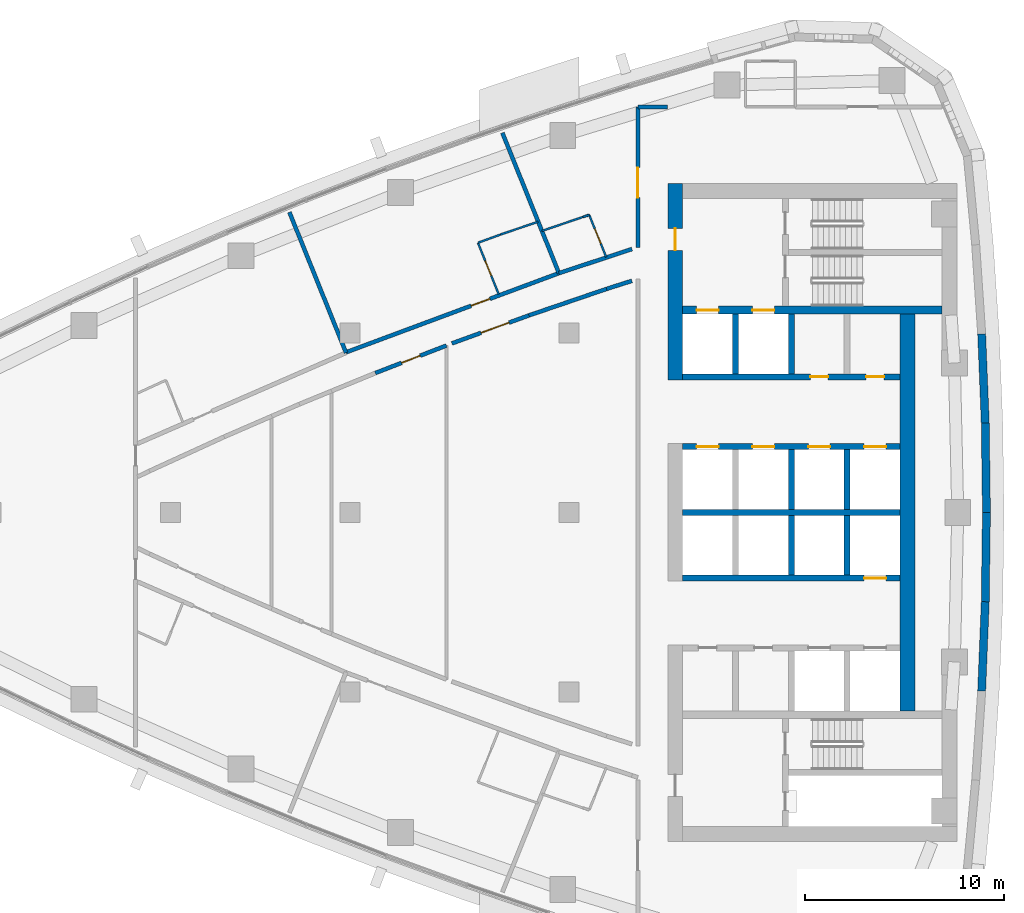
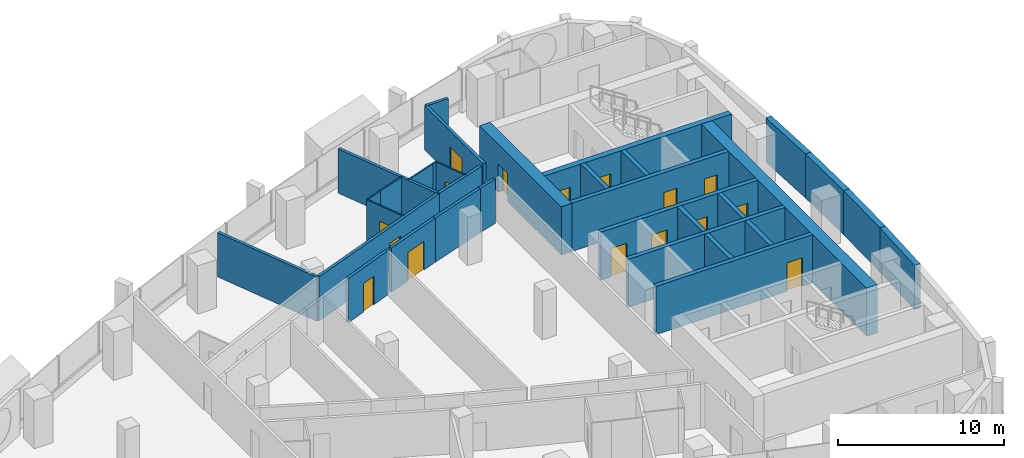
# One storey, part 11 of 16: 33 walls, 16 doors, 16 openings.
"""IFC4 building model written with IfcOpenShell, lengths in metres."""

from ifc_helpers import new_model, si_unit, direction, frame, frame_2d, origin, place, context, subcontext, project, spatial, polyline, rectangle, outline, extrude, material, layer, layer_set, type_object, element, fill, save


model = new_model("IFC4")

# Units and contexts
model_context = context("Model", 3, precision=1e-05, world=origin(), true_north=direction((0.0, 1.0)))
body_context = subcontext(model_context, "Body", "Model", "MODEL_VIEW")
ifc_project = project(units=[si_unit("LENGTHUNIT", "METRE"), si_unit("AREAUNIT", "SQUARE_METRE"), si_unit("VOLUMEUNIT", "CUBIC_METRE"), si_unit("PLANEANGLEUNIT", "RADIAN"), si_unit("MASSUNIT", "GRAM", prefix="KILO")], contexts=[model_context])

# Site, building, storey
site_placement = place(None, origin())
site = spatial("IfcSite", under=ifc_project, at=site_placement, CompositionType="ELEMENT")
building_placement = place(site_placement, origin())
building = spatial("IfcBuilding", under=site, at=building_placement, Name="Ostrand Prow Hotel Tower", CompositionType="ELEMENT")
storey_placement = place(building_placement, frame((0.0, 0.0, 186.14990234375)))
storey = spatial("IfcBuildingStorey", under=building, at=storey_placement, Name="L46", CompositionType="ELEMENT", Elevation=186.14990234375)

# Wall
ifc_material_1 = material(Name="Concrete C60/75", Category="concrete")
ifc_layer_1 = layer(ifc_material_1, 0.300048828125)
ifc_layer_set_1 = layer_set([ifc_layer_1], Name="Concrete C60/75")
wall_type_1 = type_object("IfcWallType", Name="Core wall 300 C60/75", PredefinedType="SHEAR", material=ifc_layer_set_1)
wall_1_placement = place(storey_placement, frame((50.699951171875, 0.0, 0.0), z_axis=(0.0, 0.0, 1.0), x_axis=(1.0, 0.0, 0.0)))
element("IfcWall", 1, at=wall_1_placement, inside=storey, type_object=wall_type_1, Name="Core wall PW-C", PredefinedType="SHEAR", context=body_context, shape_type="SweptSolid", body=[
    extrude(rectangle(XDim=10.900146484375, YDim=0.300048828125, at=frame_2d((5.4501953125, 0.0))), origin(), (0.0, 0.0, 1.0), 3.550048828125),
])

# Wall, openings, doors
wall_2_placement = place(storey_placement, frame((50.699951171875, 3.300048828125, 0.0), z_axis=(0.0, 0.0, 1.0), x_axis=(1.0, 0.0, 0.0)))
wall_2 = element("IfcWall", 2, at=wall_2_placement, inside=storey, type_object=wall_type_1, Name="Core wall PW-L1-N", PredefinedType="SHEAR", context=body_context, shape_type="SweptSolid", body=[
    extrude(rectangle(XDim=10.900146484375, YDim=0.300048828125, at=frame_2d((5.4501953125, 0.0))), origin(), (0.0, 0.0, 1.0), 3.550048828125),
])
opening_1_placement = place(wall_2_placement, frame((0.699951171875, 0.0, 0.0)))
opening_1 = element("IfcOpeningElement", 3, at=opening_1_placement, cuts=wall_2, Name="Opening LD", PredefinedType="OPENING", context=body_context, shape_type="SweptSolid", body=[
    extrude(rectangle(XDim=1.10009765625, YDim=2.10009765625, at=frame_2d((0.550048828125, 1.050048828125))), frame((0.0, 0.159912109375, 0.0), z_axis=(0.0, -1.0, 0.0), x_axis=(1.0, 0.0, 0.0)), (0.0, 0.0, 1.0), 0.320068359375),
])
opening_2_placement = place(wall_2_placement, frame((3.5, 0.0, 0.0)))
opening_2 = element("IfcOpeningElement", 4, at=opening_2_placement, cuts=wall_2, Name="Opening LD", PredefinedType="OPENING", context=body_context, shape_type="SweptSolid", body=[
    extrude(rectangle(XDim=1.10009765625, YDim=2.10009765625, at=frame_2d((0.550048828125, 1.050048828125))), frame((0.0, 0.159912109375, 0.0), z_axis=(0.0, -1.0, 0.0), x_axis=(1.0, 0.0, 0.0)), (0.0, 0.0, 1.0), 0.320068359375),
])
opening_3_placement = place(wall_2_placement, frame((6.300048828125, 0.0, 0.0)))
opening_3 = element("IfcOpeningElement", 5, at=opening_3_placement, cuts=wall_2, Name="Opening LD", PredefinedType="OPENING", context=body_context, shape_type="SweptSolid", body=[
    extrude(rectangle(XDim=1.10009765625, YDim=2.10009765625, at=frame_2d((0.550048828125, 1.050048828125))), frame((0.0, 0.159912109375, 0.0), z_axis=(0.0, -1.0, 0.0), x_axis=(1.0, 0.0, 0.0)), (0.0, 0.0, 1.0), 0.320068359375),
])
opening_4_placement = place(wall_2_placement, frame((9.10009765625, 0.0, 0.0)))
opening_4 = element("IfcOpeningElement", 6, at=opening_4_placement, cuts=wall_2, Name="Opening LD", PredefinedType="OPENING", context=body_context, shape_type="SweptSolid", body=[
    extrude(rectangle(XDim=1.10009765625, YDim=2.10009765625, at=frame_2d((0.550048828125, 1.050048828125))), frame((0.0, 0.159912109375, 0.0), z_axis=(0.0, -1.0, 0.0), x_axis=(1.0, 0.0, 0.0)), (0.0, 0.0, 1.0), 0.320068359375),
])
ifc_material_2 = material(Name="Stainless steel door", Category="steel")
door_type_1 = type_object("IfcDoorType", Name="Lift landing door 1100", OperationType="DOUBLE_DOOR_SLIDING", PredefinedType="DOOR", material=ifc_material_2)
door_1_placement = place(opening_1_placement, origin())
door_1 = element("IfcDoor", 7, at=door_1_placement, inside=storey, type_object=door_type_1, Name="LIFT LANDING DOOR", OperationType="DOUBLE_DOOR_SLIDING", OverallHeight=2.10009765625, OverallWidth=1.10009765625, PredefinedType="DOOR", context=body_context, shape_type="SweptSolid", body=[
    extrude(rectangle(XDim=1.10009765625, YDim=2.10009765625, at=frame_2d((0.550048828125, 1.050048828125))), frame((0.0, 0.02490234375, 0.0), z_axis=(0.0, -1.0, 0.0), x_axis=(1.0, 0.0, 0.0)), (0.0, 0.0, 1.0), 0.050048828125),
])
fill(opening_1, door_1)
door_2_placement = place(opening_2_placement, origin())
door_2 = element("IfcDoor", 8, at=door_2_placement, inside=storey, type_object=door_type_1, Name="LIFT LANDING DOOR", OperationType="DOUBLE_DOOR_SLIDING", OverallHeight=2.10009765625, OverallWidth=1.10009765625, PredefinedType="DOOR", context=body_context, shape_type="SweptSolid", body=[
    extrude(rectangle(XDim=1.10009765625, YDim=2.10009765625, at=frame_2d((0.550048828125, 1.050048828125))), frame((0.0, 0.02490234375, 0.0), z_axis=(0.0, -1.0, 0.0), x_axis=(1.0, 0.0, 0.0)), (0.0, 0.0, 1.0), 0.050048828125),
])
fill(opening_2, door_2)
door_3_placement = place(opening_3_placement, origin())
door_3 = element("IfcDoor", 9, at=door_3_placement, inside=storey, type_object=door_type_1, Name="LIFT LANDING DOOR", OperationType="DOUBLE_DOOR_SLIDING", OverallHeight=2.10009765625, OverallWidth=1.10009765625, PredefinedType="DOOR", context=body_context, shape_type="SweptSolid", body=[
    extrude(rectangle(XDim=1.10009765625, YDim=2.10009765625, at=frame_2d((0.550048828125, 1.050048828125))), frame((0.0, 0.02490234375, 0.0), z_axis=(0.0, -1.0, 0.0), x_axis=(1.0, 0.0, 0.0)), (0.0, 0.0, 1.0), 0.050048828125),
])
fill(opening_3, door_3)
door_4_placement = place(opening_4_placement, origin())
door_4 = element("IfcDoor", 10, at=door_4_placement, inside=storey, type_object=door_type_1, Name="LIFT LANDING DOOR", OperationType="DOUBLE_DOOR_SLIDING", OverallHeight=2.10009765625, OverallWidth=1.10009765625, PredefinedType="DOOR", context=body_context, shape_type="SweptSolid", body=[
    extrude(rectangle(XDim=1.10009765625, YDim=2.10009765625, at=frame_2d((0.550048828125, 1.050048828125))), frame((0.0, 0.02490234375, 0.0), z_axis=(0.0, -1.0, 0.0), x_axis=(1.0, 0.0, 0.0)), (0.0, 0.0, 1.0), 0.050048828125),
])
fill(opening_4, door_4)

wall_3_placement = place(storey_placement, frame((50.699951171875, 6.800048828125, 0.0), z_axis=(0.0, 0.0, 1.0), x_axis=(1.0, 0.0, 0.0)))
wall_3 = element("IfcWall", 11, at=wall_3_placement, inside=storey, type_object=wall_type_1, Name="Core wall PW-L2-N", PredefinedType="SHEAR", context=body_context, shape_type="SweptSolid", body=[
    extrude(rectangle(XDim=10.900146484375, YDim=0.300048828125, at=frame_2d((5.4501953125, 0.0))), origin(), (0.0, 0.0, 1.0), 3.550048828125),
])
opening_5_placement = place(wall_3_placement, frame((6.39990234375, 0.0, 0.0)))
opening_5 = element("IfcOpeningElement", 12, at=opening_5_placement, cuts=wall_3, Name="Opening FD2", PredefinedType="OPENING", context=body_context, shape_type="SweptSolid", body=[
    extrude(rectangle(XDim=0.89990234375, YDim=2.10009765625, at=frame_2d((0.449951171875, 1.050048828125))), frame((0.0, 0.159912109375, 0.0), z_axis=(0.0, -1.0, 0.0), x_axis=(1.0, 0.0, 0.0)), (0.0, 0.0, 1.0), 0.320068359375),
])
opening_6_placement = place(wall_3_placement, frame((9.199951171875, 0.0, 0.0)))
opening_6 = element("IfcOpeningElement", 13, at=opening_6_placement, cuts=wall_3, Name="Opening FD2", PredefinedType="OPENING", context=body_context, shape_type="SweptSolid", body=[
    extrude(rectangle(XDim=0.89990234375, YDim=2.10009765625, at=frame_2d((0.449951171875, 1.050048828125))), frame((0.0, 0.159912109375, 0.0), z_axis=(0.0, -1.0, 0.0), x_axis=(1.0, 0.0, 0.0)), (0.0, 0.0, 1.0), 0.320068359375),
])
ifc_material_3 = material(Name="Steel fire door", Category="steel")
door_type_2 = type_object("IfcDoorType", Name="Fire door 900 EI120", OperationType="SINGLE_SWING_LEFT", PredefinedType="DOOR", material=ifc_material_3)
door_5_placement = place(opening_5_placement, origin())
door_5 = element("IfcDoor", 14, at=door_5_placement, inside=storey, type_object=door_type_2, Name="DOOR", OperationType="SINGLE_SWING_LEFT", OverallHeight=2.10009765625, OverallWidth=0.89990234375, PredefinedType="DOOR", context=body_context, shape_type="SweptSolid", body=[
    extrude(rectangle(XDim=0.89990234375, YDim=2.10009765625, at=frame_2d((0.449951171875, 1.050048828125))), frame((0.0, 0.02490234375, 0.0), z_axis=(0.0, -1.0, 0.0), x_axis=(1.0, 0.0, 0.0)), (0.0, 0.0, 1.0), 0.050048828125),
])
fill(opening_5, door_5)
door_6_placement = place(opening_6_placement, origin())
door_6 = element("IfcDoor", 15, at=door_6_placement, inside=storey, type_object=door_type_2, Name="DOOR", OperationType="SINGLE_SWING_LEFT", OverallHeight=2.10009765625, OverallWidth=0.89990234375, PredefinedType="DOOR", context=body_context, shape_type="SweptSolid", body=[
    extrude(rectangle(XDim=0.89990234375, YDim=2.10009765625, at=frame_2d((0.449951171875, 1.050048828125))), frame((0.0, 0.02490234375, 0.0), z_axis=(0.0, -1.0, 0.0), x_axis=(1.0, 0.0, 0.0)), (0.0, 0.0, 1.0), 0.050048828125),
])
fill(opening_6, door_6)

# Walls
for number, where, z_axis, x_axis, name in (
    (16, (53.35009765625, 6.949951171875, 0.0), (0.0, 0.0, 1.0), (0.0, 1.0, 0.0), "Core wall PW-R1-NA"),
    (17, (56.14990234375, 0.14990234375, 0.0), (0.0, 0.0, 1.0), (0.0, 1.0, 0.0), "Core wall PW-R2-NB"),
    (18, (56.14990234375, 6.949951171875, 0.0), (0.0, 0.0, 1.0), (0.0, 1.0, 0.0), "Core wall PW-R2-NA"),
    (19, (58.949951171875, 0.14990234375, 0.0), (0.0, 0.0, 1.0), (0.0, 1.0, 0.0), "Core wall PW-R3-NB"),
):
    element("IfcWall", number, at=place(storey_placement, frame(where, z_axis=z_axis, x_axis=x_axis)), inside=storey, type_object=wall_type_1, Name=name, PredefinedType="SHEAR", context=body_context, shape_type="SweptSolid", body=[
        extrude(rectangle(XDim=3.0, YDim=0.300048828125, at=frame_2d((1.5, 0.0))), origin(), (0.0, 0.0, 1.0), 3.550048828125),
    ])

# Wall, opening, door
wall_4_placement = place(storey_placement, frame((50.699951171875, -3.300048828125, 0.0), z_axis=(0.0, 0.0, 1.0), x_axis=(1.0, 0.0, 0.0)))
wall_4 = element("IfcWall", 20, at=wall_4_placement, inside=storey, type_object=wall_type_1, Name="Core wall PW-L1-S", PredefinedType="SHEAR", context=body_context, shape_type="SweptSolid", body=[
    extrude(rectangle(XDim=10.900146484375, YDim=0.300048828125, at=frame_2d((5.4501953125, 0.0))), origin(), (0.0, 0.0, 1.0), 3.550048828125),
])
opening_7_placement = place(wall_4_placement, frame((9.10009765625, 0.0, 0.0)))
opening_7 = element("IfcOpeningElement", 21, at=opening_7_placement, cuts=wall_4, Name="Opening LD", PredefinedType="OPENING", context=body_context, shape_type="SweptSolid", body=[
    extrude(rectangle(XDim=1.10009765625, YDim=2.10009765625, at=frame_2d((0.550048828125, 1.050048828125))), frame((0.0, 0.159912109375, 0.0), z_axis=(0.0, -1.0, 0.0), x_axis=(1.0, 0.0, 0.0)), (0.0, 0.0, 1.0), 0.320068359375),
])
door_7_placement = place(opening_7_placement, origin())
door_7 = element("IfcDoor", 22, at=door_7_placement, inside=storey, type_object=door_type_1, Name="LIFT LANDING DOOR", OperationType="DOUBLE_DOOR_SLIDING", OverallHeight=2.10009765625, OverallWidth=1.10009765625, PredefinedType="DOOR", context=body_context, shape_type="SweptSolid", body=[
    extrude(rectangle(XDim=1.10009765625, YDim=2.10009765625, at=frame_2d((0.550048828125, 1.050048828125))), frame((0.0, 0.02490234375, 0.0), z_axis=(0.0, -1.0, 0.0), x_axis=(1.0, 0.0, 0.0)), (0.0, 0.0, 1.0), 0.050048828125),
])
fill(opening_7, door_7)

# Walls
for number, where, z_axis, x_axis, name in (
    (23, (56.14990234375, -3.14990234375, 0.0), (0.0, 0.0, 1.0), (0.0, 1.0, 0.0), "Core wall PW-R2-SB"),
    (24, (58.949951171875, -3.14990234375, 0.0), (0.0, 0.0, 1.0), (0.0, 1.0, 0.0), "Core wall PW-R3-SB"),
):
    element("IfcWall", number, at=place(storey_placement, frame(where, z_axis=z_axis, x_axis=x_axis)), inside=storey, type_object=wall_type_1, Name=name, PredefinedType="SHEAR", context=body_context, shape_type="SweptSolid", body=[
        extrude(rectangle(XDim=3.0, YDim=0.300048828125, at=frame_2d((1.5, 0.0))), origin(), (0.0, 0.0, 1.0), 3.550048828125),
    ])

# Wall, openings, doors
ifc_material_4 = material(Name="Concrete C60/75", Category="concrete")
ifc_layer_2 = layer(ifc_material_4, 0.39990234375)
ifc_layer_set_2 = layer_set([ifc_layer_2], Name="Concrete C60/75")
wall_type_2 = type_object("IfcWallType", Name="Core wall 400 C60/75", PredefinedType="SHEAR", material=ifc_layer_set_2)
wall_5_placement = place(storey_placement, frame((50.699951171875, 10.14990234375, 0.0), z_axis=(0.0, 0.0, 1.0), x_axis=(1.0, 0.0, 0.0)))
wall_5 = element("IfcWall", 25, at=wall_5_placement, inside=storey, type_object=wall_type_2, Name="Core wall PW-BN", PredefinedType="SHEAR", context=body_context, shape_type="SweptSolid", body=[
    extrude(rectangle(XDim=13.02001953125, YDim=0.39990234375, at=frame_2d((6.510009765625, 0.0))), origin(), (0.0, 0.0, 1.0), 3.550048828125),
])
opening_8_placement = place(wall_5_placement, frame((0.699951171875, 0.0, 0.0)))
opening_8 = element("IfcOpeningElement", 26, at=opening_8_placement, cuts=wall_5, Name="Opening LD", PredefinedType="OPENING", context=body_context, shape_type="SweptSolid", body=[
    extrude(rectangle(XDim=1.10009765625, YDim=2.10009765625, at=frame_2d((0.550048828125, 1.050048828125))), frame((0.0, 0.2099609375, 0.0), z_axis=(0.0, -1.0, 0.0), x_axis=(1.0, 0.0, 0.0)), (0.0, 0.0, 1.0), 0.419921875),
])
opening_9_placement = place(wall_5_placement, frame((3.5, 0.0, 0.0)))
opening_9 = element("IfcOpeningElement", 27, at=opening_9_placement, cuts=wall_5, Name="Opening LD", PredefinedType="OPENING", context=body_context, shape_type="SweptSolid", body=[
    extrude(rectangle(XDim=1.10009765625, YDim=2.10009765625, at=frame_2d((0.550048828125, 1.050048828125))), frame((0.0, 0.2099609375, 0.0), z_axis=(0.0, -1.0, 0.0), x_axis=(1.0, 0.0, 0.0)), (0.0, 0.0, 1.0), 0.419921875),
])
door_8_placement = place(opening_8_placement, origin())
door_8 = element("IfcDoor", 28, at=door_8_placement, inside=storey, type_object=door_type_1, Name="LIFT LANDING DOOR", OperationType="DOUBLE_DOOR_SLIDING", OverallHeight=2.10009765625, OverallWidth=1.10009765625, PredefinedType="DOOR", context=body_context, shape_type="SweptSolid", body=[
    extrude(rectangle(XDim=1.10009765625, YDim=2.10009765625, at=frame_2d((0.550048828125, 1.050048828125))), frame((0.0, 0.02490234375, 0.0), z_axis=(0.0, -1.0, 0.0), x_axis=(1.0, 0.0, 0.0)), (0.0, 0.0, 1.0), 0.050048828125),
])
fill(opening_8, door_8)
door_9_placement = place(opening_9_placement, origin())
door_9 = element("IfcDoor", 29, at=door_9_placement, inside=storey, type_object=door_type_1, Name="LIFT LANDING DOOR", OperationType="DOUBLE_DOOR_SLIDING", OverallHeight=2.10009765625, OverallWidth=1.10009765625, PredefinedType="DOOR", context=body_context, shape_type="SweptSolid", body=[
    extrude(rectangle(XDim=1.10009765625, YDim=2.10009765625, at=frame_2d((0.550048828125, 1.050048828125))), frame((0.0, 0.02490234375, 0.0), z_axis=(0.0, -1.0, 0.0), x_axis=(1.0, 0.0, 0.0)), (0.0, 0.0, 1.0), 0.050048828125),
])
fill(opening_9, door_9)

# Wall, opening, door
ifc_material_5 = material(Name="Concrete C60/75", Category="concrete")
ifc_layer_3 = layer(ifc_material_5, 0.75)
ifc_layer_set_3 = layer_set([ifc_layer_3], Name="Concrete C60/75")
wall_type_3 = type_object("IfcWallType", Name="Core wall 750 C60/75", PredefinedType="SHEAR", material=ifc_layer_set_3)
wall_6_placement = place(storey_placement, frame((50.324951171875, 6.64990234375, 0.0), z_axis=(0.0, 0.0, 1.0), x_axis=(0.0, 1.0, 0.0)))
wall_6 = element("IfcWall", 30, at=wall_6_placement, inside=storey, type_object=wall_type_3, Name="Core wall CW-W-N", PredefinedType="SHEAR", context=body_context, shape_type="SweptSolid", body=[
    extrude(rectangle(XDim=9.85009765625, YDim=0.75, at=frame_2d((4.925048828125, 0.0))), origin(), (0.0, 0.0, 1.0), 3.550048828125),
])
opening_10_placement = place(wall_6_placement, frame((6.5, 0.0, 0.0)))
opening_10 = element("IfcOpeningElement", 31, at=opening_10_placement, cuts=wall_6, Name="Opening FD1", PredefinedType="OPENING", context=body_context, shape_type="SweptSolid", body=[
    extrude(rectangle(XDim=1.10009765625, YDim=2.10009765625, at=frame_2d((0.550048828125, 1.050048828125))), frame((0.0, 0.385009765625, 0.0), z_axis=(0.0, -1.0, 0.0), x_axis=(1.0, 0.0, 0.0)), (0.0, 0.0, 1.0), 0.77001953125),
])
ifc_material_6 = material(Name="Steel fire door", Category="steel")
door_type_3 = type_object("IfcDoorType", Name="Fire door 1100 EI120", OperationType="SINGLE_SWING_RIGHT", PredefinedType="DOOR", material=ifc_material_6)
door_10_placement = place(opening_10_placement, origin())
door_10 = element("IfcDoor", 32, at=door_10_placement, inside=storey, type_object=door_type_3, Name="FIRE DOOR", OperationType="SINGLE_SWING_RIGHT", OverallHeight=2.10009765625, OverallWidth=1.10009765625, PredefinedType="DOOR", context=body_context, shape_type="SweptSolid", body=[
    extrude(rectangle(XDim=1.10009765625, YDim=2.10009765625, at=frame_2d((0.550048828125, 1.050048828125))), frame((0.0, 0.02490234375, 0.0), z_axis=(0.0, -1.0, 0.0), x_axis=(1.0, 0.0, 0.0)), (0.0, 0.0, 1.0), 0.050048828125),
])
fill(opening_10, door_10)

# Walls
wall_7_placement = place(storey_placement, frame((61.97509765625, -9.949951171875, 0.0), z_axis=(0.0, 0.0, 1.0), x_axis=(0.0, 1.0, 0.0)))
element("IfcWall", 33, at=wall_7_placement, inside=storey, type_object=wall_type_3, Name="Core wall CW-E-C", PredefinedType="SHEAR", context=body_context, shape_type="SweptSolid", body=[
    extrude(rectangle(XDim=19.89990234375, YDim=0.75, at=frame_2d((9.949951171875, 0.0))), origin(), (0.0, 0.0, 1.0), 3.550048828125),
])
ifc_material_7 = material(Name="Plasterboard partition")
ifc_layer_4 = layer(ifc_material_7, 0.10009765625)
ifc_layer_set_4 = layer_set([ifc_layer_4], Name="Plasterboard partition")
wall_type_4 = type_object("IfcWallType", Name="Partition 100 bathroom wall", PredefinedType="PARTITIONING", material=ifc_layer_set_4)
wall_8_placement = place(storey_placement, frame((40.425537109375, 13.531982421875, 0.0), z_axis=(0.0, 0.0, 1.0), x_axis=(0.939781557461, 0.341775692897, 0.0)))
element("IfcWall", 34, at=wall_8_placement, inside=storey, type_object=wall_type_4, Name="BATHROOM WALL", PredefinedType="PARTITIONING", context=body_context, shape_type="SweptSolid", body=[
    extrude(rectangle(XDim=1.201416015625, YDim=0.10009765625, at=frame_2d((0.6005859375, 0.0))), origin(), (0.0, 0.0, 1.0), 3.25),
])
wall_9_placement = place(storey_placement, frame((41.554931640625, 13.942626953125, 0.0), z_axis=(0.0, 0.0, 1.0), x_axis=(0.94641533286, 0.322952036265, 0.0)))
element("IfcWall", 35, at=wall_9_placement, inside=storey, type_object=wall_type_4, Name="BATHROOM WALL", PredefinedType="PARTITIONING", context=body_context, shape_type="SweptSolid", body=[
    extrude(rectangle(XDim=2.001708984375, YDim=0.10009765625, at=frame_2d((1.0009765625, 0.0))), origin(), (0.0, 0.0, 1.0), 3.25),
])

# Wall, opening, door
wall_10_placement = place(storey_placement, frame((41.46435546875, 10.954833984375, 0.0), z_axis=(0.0, 0.0, 1.0), x_axis=(-0.373889095325, 0.927473419779, 0.0)))
wall_10 = element("IfcWall", 36, at=wall_10_placement, inside=storey, type_object=wall_type_4, Name="BATHROOM WALL", PredefinedType="PARTITIONING", context=body_context, shape_type="SweptSolid", body=[
    extrude(rectangle(XDim=2.7783203125, YDim=0.10009765625, at=frame_2d((1.38916015625, 0.0))), origin(), (0.0, 0.0, 1.0), 3.25),
])
opening_11_placement = place(wall_10_placement, frame((1.0, 0.0, 0.0)))
opening_11 = element("IfcOpeningElement", 37, at=opening_11_placement, cuts=wall_10, Name="Opening D2", PredefinedType="OPENING", context=body_context, shape_type="SweptSolid", body=[
    extrude(rectangle(XDim=0.800048828125, YDim=2.10009765625, at=frame_2d((0.39990234375, 1.050048828125))), frame((0.0, 0.06005859375, 0.0), z_axis=(0.0, -1.0, 0.0), x_axis=(1.0, 0.0, 0.0)), (0.0, 0.0, 1.0), 0.1201171875),
])
ifc_material_8 = material(Name="Timber door leaf", Category="wood")
door_type_4 = type_object("IfcDoorType", Name="Bathroom door 800", OperationType="SINGLE_SWING_LEFT", PredefinedType="DOOR", material=ifc_material_8)
door_11_placement = place(opening_11_placement, origin())
door_11 = element("IfcDoor", 38, at=door_11_placement, inside=storey, type_object=door_type_4, Name="DOOR", OperationType="SINGLE_SWING_LEFT", OverallHeight=2.10009765625, OverallWidth=0.800048828125, PredefinedType="DOOR", context=body_context, shape_type="SweptSolid", body=[
    extrude(rectangle(XDim=0.800048828125, YDim=2.10009765625, at=frame_2d((0.39990234375, 1.050048828125))), frame((0.0, 0.02490234375, 0.0), z_axis=(0.0, -1.0, 0.0), x_axis=(1.0, 0.0, 0.0)), (0.0, 0.0, 1.0), 0.050048828125),
])
fill(opening_11, door_11)

# Walls
wall_11_placement = place(storey_placement, frame((43.63671875, 14.124755859375, 0.0), z_axis=(0.0, 0.0, 1.0), x_axis=(0.946442988685, 0.322870979136, 0.0)))
element("IfcWall", 39, at=wall_11_placement, inside=storey, type_object=wall_type_4, Name="BATHROOM WALL", PredefinedType="PARTITIONING", context=body_context, shape_type="SweptSolid", body=[
    extrude(rectangle(XDim=2.16943359375, YDim=0.10009765625, at=frame_2d((1.084716796875, 0.0))), origin(), (0.0, 0.0, 1.0), 3.25),
])
wall_12_placement = place(storey_placement, frame((45.68994140625, 14.8251953125, 0.0), z_axis=(0.0, 0.0, 1.0), x_axis=(0.952618746207, 0.304166935045, 0.0)))
element("IfcWall", 40, at=wall_12_placement, inside=storey, type_object=wall_type_4, Name="BATHROOM WALL", PredefinedType="PARTITIONING", context=body_context, shape_type="SweptSolid", body=[
    extrude(rectangle(XDim=0.334716796875, YDim=0.10009765625, at=frame_2d((0.16748046875, 0.0))), origin(), (0.0, 0.0, 1.0), 3.25),
])

# Wall, opening, door
wall_13_placement = place(storey_placement, frame((46.0087890625, 14.927001953125, 0.0), z_axis=(0.0, 0.0, 1.0), x_axis=(0.373877855241, -0.927477950876, 0.0)))
wall_13 = element("IfcWall", 41, at=wall_13_placement, inside=storey, type_object=wall_type_4, Name="BATHROOM WALL", PredefinedType="PARTITIONING", context=body_context, shape_type="SweptSolid", body=[
    extrude(rectangle(XDim=2.283447265625, YDim=0.10009765625, at=frame_2d((1.1416015625, 0.0))), origin(), (0.0, 0.0, 1.0), 3.25),
])
opening_12_placement = place(wall_13_placement, frame((0.75, 0.0, 0.0)))
opening_12 = element("IfcOpeningElement", 42, at=opening_12_placement, cuts=wall_13, Name="Opening D2", PredefinedType="OPENING", context=body_context, shape_type="SweptSolid", body=[
    extrude(rectangle(XDim=0.800048828125, YDim=2.10009765625, at=frame_2d((0.39990234375, 1.050048828125))), frame((0.0, 0.06005859375, 0.0), z_axis=(0.0, -1.0, 0.0), x_axis=(1.0, 0.0, 0.0)), (0.0, 0.0, 1.0), 0.1201171875),
])
door_12_placement = place(opening_12_placement, origin())
door_12 = element("IfcDoor", 43, at=door_12_placement, inside=storey, type_object=door_type_4, Name="DOOR", OperationType="SINGLE_SWING_LEFT", OverallHeight=2.10009765625, OverallWidth=0.800048828125, PredefinedType="DOOR", context=body_context, shape_type="SweptSolid", body=[
    extrude(rectangle(XDim=0.800048828125, YDim=2.10009765625, at=frame_2d((0.39990234375, 1.050048828125))), frame((0.0, 0.02490234375, 0.0), z_axis=(0.0, -1.0, 0.0), x_axis=(1.0, 0.0, 0.0)), (0.0, 0.0, 1.0), 0.050048828125),
])
fill(opening_12, door_12)

ifc_material_9 = material(Name="Plasterboard partition")
ifc_layer_5 = layer(ifc_material_9, 0.199951171875)
ifc_layer_set_5 = layer_set([ifc_layer_5], Name="Plasterboard partition")
wall_type_5 = type_object("IfcWallType", Name="Partition 200 corridor wall", PredefinedType="PARTITIONING", material=ifc_layer_set_5)
wall_14_placement = place(storey_placement, frame((44.490478515625, 12.007080078125, 0.0), z_axis=(0.0, 0.0, 1.0), x_axis=(-0.937301234234, -0.348520295396, 0.0)))
wall_14 = element("IfcWall", 44, at=wall_14_placement, inside=storey, type_object=wall_type_5, Name="CORRIDOR WALL", PredefinedType="PARTITIONING", context=body_context, shape_type="SweptSolid", body=[
    extrude(rectangle(XDim=11.404296875, YDim=0.199951171875, at=frame_2d((5.7021484375, 0.0))), origin(), (0.0, 0.0, 1.0), 3.25),
])
opening_13_placement = place(wall_14_placement, frame((3.699951171875, 0.0, 0.0)))
opening_13 = element("IfcOpeningElement", 45, at=opening_13_placement, cuts=wall_14, Name="Opening D1R", PredefinedType="OPENING", context=body_context, shape_type="SweptSolid", body=[
    extrude(rectangle(XDim=1.0, YDim=2.10009765625, at=frame_2d((0.5, 1.050048828125))), frame((0.0, 0.10986328125, 0.0), z_axis=(0.0, -1.0, 0.0), x_axis=(1.0, 0.0, 0.0)), (0.0, 0.0, 1.0), 0.219970703125),
])
ifc_material_10 = material(Name="Timber door leaf", Category="wood")
door_type_5 = type_object("IfcDoorType", Name="Guest room door 1000 right", OperationType="SINGLE_SWING_RIGHT", PredefinedType="DOOR", material=ifc_material_10)
door_13_placement = place(opening_13_placement, origin())
door_13 = element("IfcDoor", 46, at=door_13_placement, inside=storey, type_object=door_type_5, Name="DOOR", OperationType="SINGLE_SWING_RIGHT", OverallHeight=2.10009765625, OverallWidth=1.0, PredefinedType="DOOR", context=body_context, shape_type="SweptSolid", body=[
    extrude(rectangle(XDim=1.0, YDim=2.10009765625, at=frame_2d((0.5, 1.050048828125))), frame((0.0, 0.02490234375, 0.0), z_axis=(0.0, -1.0, 0.0), x_axis=(1.0, 0.0, 0.0)), (0.0, 0.0, 1.0), 0.050048828125),
])
fill(opening_13, door_13)

wall_15_placement = place(storey_placement, frame((35.275634765625, 6.994384765625, 0.0), z_axis=(0.0, 0.0, 1.0), x_axis=(0.932681040007, 0.360702200731, 0.0)))
wall_15 = element("IfcWall", 47, at=wall_15_placement, inside=storey, type_object=wall_type_5, Name="CORRIDOR WALL", PredefinedType="PARTITIONING", context=body_context, shape_type="SweptSolid", body=[
    extrude(rectangle(XDim=3.824951171875, YDim=0.199951171875, at=frame_2d((1.91259765625, 0.0))), origin(), (0.0, 0.0, 1.0), 3.25),
])
opening_14_placement = place(wall_15_placement, frame((1.41259765625, 0.0, 0.0)))
opening_14 = element("IfcOpeningElement", 48, at=opening_14_placement, cuts=wall_15, Name="Opening D1", PredefinedType="OPENING", context=body_context, shape_type="SweptSolid", body=[
    extrude(rectangle(XDim=1.0, YDim=2.10009765625, at=frame_2d((0.5, 1.050048828125))), frame((0.0, 0.10986328125, 0.0), z_axis=(0.0, -1.0, 0.0), x_axis=(1.0, 0.0, 0.0)), (0.0, 0.0, 1.0), 0.219970703125),
])
ifc_material_11 = material(Name="Timber door leaf", Category="wood")
door_type_6 = type_object("IfcDoorType", Name="Guest room door 1000", OperationType="SINGLE_SWING_LEFT", PredefinedType="DOOR", material=ifc_material_11)
door_14_placement = place(opening_14_placement, origin())
door_14 = element("IfcDoor", 49, at=door_14_placement, inside=storey, type_object=door_type_6, Name="DOOR", OperationType="SINGLE_SWING_LEFT", OverallHeight=2.10009765625, OverallWidth=1.0, PredefinedType="DOOR", context=body_context, shape_type="SweptSolid", body=[
    extrude(rectangle(XDim=1.0, YDim=2.10009765625, at=frame_2d((0.5, 1.050048828125))), frame((0.0, 0.02490234375, 0.0), z_axis=(0.0, -1.0, 0.0), x_axis=(1.0, 0.0, 0.0)), (0.0, 0.0, 1.0), 0.050048828125),
])
fill(opening_14, door_14)

wall_16_placement = place(storey_placement, frame((39.115478515625, 8.4794921875, 0.0), z_axis=(0.0, 0.0, 1.0), x_axis=(0.939727613335, 0.341923986779, 0.0)))
wall_16 = element("IfcWall", 50, at=wall_16_placement, inside=storey, type_object=wall_type_5, Name="CORRIDOR WALL", PredefinedType="PARTITIONING", context=body_context, shape_type="SweptSolid", body=[
    extrude(rectangle(XDim=4.116943359375, YDim=0.199951171875, at=frame_2d((2.05859375, 0.0))), origin(), (0.0, 0.0, 1.0), 3.25),
])
opening_15_placement = place(wall_16_placement, frame((1.55859375, 0.0, 0.0)))
opening_15 = element("IfcOpeningElement", 51, at=opening_15_placement, cuts=wall_16, Name="Opening D15", PredefinedType="OPENING", context=body_context, shape_type="SweptSolid", body=[
    extrude(rectangle(XDim=1.5, YDim=2.10009765625, at=frame_2d((0.75, 1.050048828125))), frame((0.0, 0.10986328125, 0.0), z_axis=(0.0, -1.0, 0.0), x_axis=(1.0, 0.0, 0.0)), (0.0, 0.0, 1.0), 0.219970703125),
])
ifc_material_12 = material(Name="Timber door leaf", Category="wood")
door_type_7 = type_object("IfcDoorType", Name="Double door 1500", OperationType="DOUBLE_DOOR_SINGLE_SWING", PredefinedType="DOOR", material=ifc_material_12)
door_15_placement = place(opening_15_placement, origin())
door_15 = element("IfcDoor", 52, at=door_15_placement, inside=storey, type_object=door_type_7, Name="DOOR", OperationType="DOUBLE_DOOR_SINGLE_SWING", OverallHeight=2.10009765625, OverallWidth=1.5, PredefinedType="DOOR", context=body_context, shape_type="SweptSolid", body=[
    extrude(rectangle(XDim=1.5, YDim=2.10009765625, at=frame_2d((0.75, 1.050048828125))), frame((0.0, 0.02490234375, 0.0), z_axis=(0.0, -1.0, 0.0), x_axis=(1.0, 0.0, 0.0)), (0.0, 0.0, 1.0), 0.050048828125),
])
fill(opening_15, door_15)

# Walls
wall_17_placement = place(storey_placement, frame((42.984375, 9.88720703125, 0.0), z_axis=(0.0, 0.0, 1.0), x_axis=(0.946436071896, 0.322891253852, 0.0)))
element("IfcWall", 53, at=wall_17_placement, inside=storey, type_object=wall_type_5, Name="CORRIDOR WALL", PredefinedType="PARTITIONING", context=body_context, shape_type="SweptSolid", body=[
    extrude(rectangle(XDim=4.116943359375, YDim=0.199951171875, at=frame_2d((2.05859375, 0.0))), origin(), (0.0, 0.0, 1.0), 3.25),
])
wall_18_placement = place(storey_placement, frame((48.14990234375, 13.21337890625, 0.0), z_axis=(0.0, 0.0, 1.0), x_axis=(-0.949729856115, -0.313070599711, 0.0)))
element("IfcWall", 54, at=wall_18_placement, inside=storey, type_object=wall_type_5, Name="CORRIDOR WALL", PredefinedType="PARTITIONING", context=body_context, shape_type="SweptSolid", body=[
    extrude(rectangle(XDim=3.85302734375, YDim=0.199951171875, at=frame_2d((1.926513671875, 0.0))), origin(), (0.0, 0.0, 1.0), 3.25),
])
wall_19_placement = place(storey_placement, frame((46.880859375, 11.216552734375, 0.0), z_axis=(0.0, 0.0, 1.0), x_axis=(0.952761948983, 0.303718074157, 0.0)))
element("IfcWall", 55, at=wall_19_placement, inside=storey, type_object=wall_type_5, Name="CORRIDOR WALL", PredefinedType="PARTITIONING", context=body_context, shape_type="SweptSolid", body=[
    extrude(rectangle(XDim=1.33203125, YDim=0.199951171875, at=frame_2d((0.666015625, 0.0))), origin(), (0.0, 0.0, 1.0), 3.25),
])

# Wall, opening, door
wall_20_placement = place(storey_placement, frame((48.445068359375, 20.35107421875, 0.0), z_axis=(0.0, 0.0, 1.0), x_axis=(0.0, -1.0, 0.0)))
wall_20 = element("IfcWall", 56, at=wall_20_placement, inside=storey, type_object=wall_type_5, Name="CORRIDOR WALL", PredefinedType="PARTITIONING", context=body_context, shape_type="SweptSolid", body=[
    extrude(rectangle(XDim=7.05615234375, YDim=0.199951171875, at=frame_2d((3.528076171875, 0.0))), origin(), (0.0, 0.0, 1.0), 3.25),
])
opening_16_placement = place(wall_20_placement, frame((3.050048828125, 0.0, 0.0)))
opening_16 = element("IfcOpeningElement", 57, at=opening_16_placement, cuts=wall_20, Name="Opening D15", PredefinedType="OPENING", context=body_context, shape_type="SweptSolid", body=[
    extrude(rectangle(XDim=1.5, YDim=2.10009765625, at=frame_2d((0.75, 1.050048828125))), frame((0.0, 0.10986328125, 0.0), z_axis=(0.0, -1.0, 0.0), x_axis=(1.0, 0.0, 0.0)), (0.0, 0.0, 1.0), 0.219970703125),
])
door_16_placement = place(opening_16_placement, origin())
door_16 = element("IfcDoor", 58, at=door_16_placement, inside=storey, type_object=door_type_7, Name="DOOR", OperationType="DOUBLE_DOOR_SINGLE_SWING", OverallHeight=2.10009765625, OverallWidth=1.5, PredefinedType="DOOR", context=body_context, shape_type="SweptSolid", body=[
    extrude(rectangle(XDim=1.5, YDim=2.10009765625, at=frame_2d((0.75, 1.050048828125))), frame((0.0, 0.02490234375, 0.0), z_axis=(0.0, -1.0, 0.0), x_axis=(1.0, 0.0, 0.0)), (0.0, 0.0, 1.0), 0.050048828125),
])
fill(opening_16, door_16)

# Walls
wall_21_placement = place(storey_placement, frame((49.945068359375, 20.35498046875, 0.0), z_axis=(0.0, 0.0, 1.0), x_axis=(-0.999996609175, -0.002604157836, 0.0)))
element("IfcWall", 59, at=wall_21_placement, inside=storey, type_object=wall_type_5, Name="CORRIDOR WALL", PredefinedType="PARTITIONING", context=body_context, shape_type="SweptSolid", body=[
    extrude(rectangle(XDim=1.5, YDim=0.199951171875, at=frame_2d((0.75, 0.0))), origin(), (0.0, 0.0, 1.0), 3.25),
])
ifc_material_13 = material(Name="Plasterboard partition")
ifc_layer_6 = layer(ifc_material_13, 0.199951171875)
ifc_layer_set_6 = layer_set([ifc_layer_6], Name="Plasterboard partition")
wall_type_6 = type_object("IfcWallType", Name="Partition 200 key partition", PredefinedType="PARTITIONING", material=ifc_layer_set_6)
wall_22_placement = place(storey_placement, frame((33.80859375, 8.013916015625, 0.0), z_axis=(0.0, 0.0, 1.0), x_axis=(-0.373887223455, 0.927474174378, 0.0)))
element("IfcWall", 60, at=wall_22_placement, inside=storey, type_object=wall_type_6, Name="KEY PARTITION", PredefinedType="PARTITIONING", context=body_context, shape_type="SweptSolid", body=[
    extrude(rectangle(XDim=7.60009765625, YDim=0.199951171875, at=frame_2d((3.800048828125, 0.0))), origin(), (0.0, 0.0, 1.0), 3.25),
])
wall_23_placement = place(storey_placement, frame((44.497802734375, 11.98828125, 0.0), z_axis=(0.0, 0.0, 1.0), x_axis=(-0.373877998371, 0.927477893178, 0.0)))
element("IfcWall", 61, at=wall_23_placement, inside=storey, type_object=wall_type_6, Name="KEY PARTITION", PredefinedType="PARTITIONING", context=body_context, shape_type="SweptSolid", body=[
    extrude(rectangle(XDim=7.611328125, YDim=0.199951171875, at=frame_2d((3.8056640625, 0.0))), origin(), (0.0, 0.0, 1.0), 3.25),
])
ifc_material_14 = material(Name="Precast concrete C40/50", Category="concrete")
ifc_layer_7 = layer(ifc_material_14, 0.39990234375)
ifc_layer_set_7 = layer_set([ifc_layer_7], Name="Precast concrete C40/50")
wall_type_7 = type_object("IfcWallType", Name="Stone-faced precast wall 400 mm", PredefinedType="NOTDEFINED", material=ifc_layer_set_7)
for number, where, z_axis, x_axis, name in (
    (62, (65.700439453125, -8.957763671875, 0.0), (0.0, 0.0, 1.0), (0.040155165338, 0.999193456092, 0.0), "Stone-faced wall back 7"),
    (63, (65.88037109375, -4.48046875, 0.0), (0.0, 0.0, 1.0), (0.013348854104, 0.999910900078, 0.0), "Stone-faced wall back 8"),
    (64, (65.940185546875, 0.0, 0.0), (0.0, 0.0, 1.0), (-0.013348854104, 0.999910900078, 0.0), "Stone-faced wall back 9"),
    (65, (65.88037109375, 4.48046875, 0.0), (0.0, 0.0, 1.0), (-0.040155165338, 0.999193456092, 0.0), "Stone-faced wall back 10"),
):
    element("IfcWall", number, at=place(storey_placement, frame(where, z_axis=z_axis, x_axis=x_axis)), inside=storey, type_object=wall_type_7, Name=name, PredefinedType="NOTDEFINED", context=body_context, shape_type="SweptSolid", body=[
        extrude(outline(polyline([(-0.002685546875, -0.199951171875), (4.483642578125, -0.199951171875), (4.478271484375, 0.199951171875), (0.002685546875, 0.199951171875), (-0.002685546875, -0.199951171875)])), origin(), (0.0, 0.0, 1.0), 3.25),
    ])

save(model, "model.ifc")
